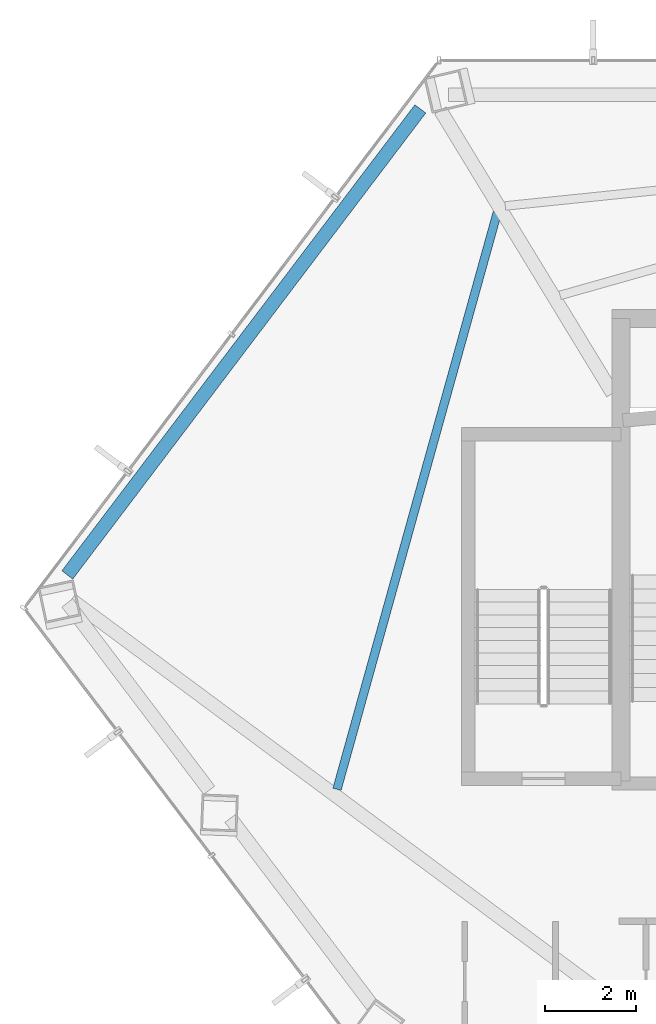
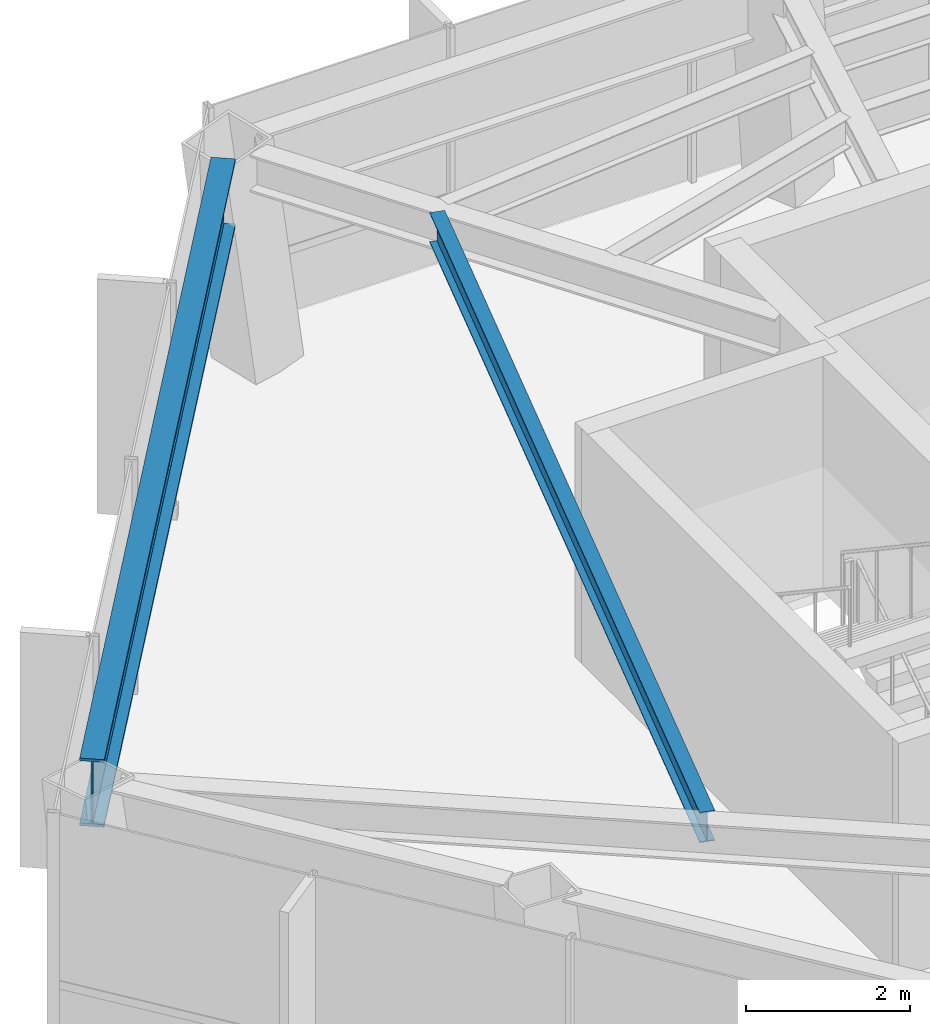
# One storey, part 11 of 29: 2 beams.
"""IFC4 building model written with IfcOpenShell, lengths in metres."""

from ifc_helpers import new_model, si_unit, direction, frame, origin, origin_2d, place, context, subcontext, project, spatial, i_section, extrude, material, material_profile, profile_set, type_object, element, save


model = new_model("IFC4")

# Units and contexts
model_context = context("Model", 3, precision=1e-05, world=origin(), true_north=direction((0.0, 1.0)))
body_context = subcontext(model_context, "Body", "Model", "MODEL_VIEW")
ifc_project = project(units=[si_unit("LENGTHUNIT", "METRE"), si_unit("AREAUNIT", "SQUARE_METRE"), si_unit("VOLUMEUNIT", "CUBIC_METRE"), si_unit("PLANEANGLEUNIT", "RADIAN"), si_unit("MASSUNIT", "GRAM", prefix="KILO")], contexts=[model_context])

# Site, building, storey
site_placement = place(None, origin())
site = spatial("IfcSite", under=ifc_project, at=site_placement, CompositionType="ELEMENT")
building_placement = place(site_placement, origin())
building = spatial("IfcBuilding", under=site, at=building_placement, Name="Zarrinselat Tower", CompositionType="ELEMENT")
storey_placement = place(building_placement, frame((0.0, 0.0, 142.1201171875)))
storey = spatial("IfcBuildingStorey", under=building, at=storey_placement, Name="L34", CompositionType="ELEMENT", Elevation=142.1201171875)

# Beams
ifc_material_1 = material(Name="Steel S460M", Category="steel")
ifc_material_profile_1 = material_profile(ifc_material_1, i_section(OverallWidth=0.302001953125, OverallDepth=1.008056640625, WebThickness=0.02099609375, FlangeThickness=0.0400390625, at=origin_2d()), Name="HEM 1000")
ifc_profile_set_1 = profile_set([ifc_material_profile_1], Name="Steel S460M")
beam_type_1 = type_object("IfcBeamType", Name="BM-HEM1000", PredefinedType="BEAM", material=ifc_profile_set_1)
beam_1_placement = place(storey_placement, frame((16.381591796875, 37.79248046875, 2.995849609375), z_axis=(0.603848213094, 0.797099326021, 0.0), x_axis=(-0.797099326021, 0.603848213094, 0.0)))
element("IfcBeam", 1, at=beam_1_placement, inside=storey, type_object=beam_type_1, Name="L34 Perimeter Spandrel Girder SP05", PredefinedType="BEAM", context=body_context, shape_type="SweptSolid", body=[
    extrude(i_section(OverallWidth=0.302001953125, OverallDepth=1.008056640625, WebThickness=0.02099609375, FlangeThickness=0.0400390625, at=origin_2d()), origin(), (0.0, 0.0, 1.0), 12.898681640625),
])
ifc_material_2 = material(Name="Steel S355J2", Category="steel")
ifc_material_profile_2 = material_profile(ifc_material_2, i_section(OverallWidth=0.18994140625, OverallDepth=0.449951171875, WebThickness=0.009521484375, FlangeThickness=0.0146484375, at=origin_2d()), Name="IPE 450")
ifc_profile_set_2 = profile_set([ifc_material_profile_2], Name="Steel S355J2")
beam_type_2 = type_object("IfcBeamType", Name="BM-IPE450", PredefinedType="JOIST", material=ifc_profile_set_2)
beam_2_placement = place(storey_placement, frame((22.33154296875, 33.0625, 3.27490234375), z_axis=(0.267770703509, 0.96348266738, 0.0), x_axis=(-0.96348266738, 0.267770703509, 0.0)))
element("IfcBeam", 2, at=beam_2_placement, inside=storey, type_object=beam_type_2, Name="L34 Composite Floor Joist 10-1", PredefinedType="JOIST", context=body_context, shape_type="SweptSolid", body=[
    extrude(i_section(OverallWidth=0.18994140625, OverallDepth=0.449951171875, WebThickness=0.009521484375, FlangeThickness=0.0146484375, at=origin_2d()), origin(), (0.0, 0.0, 1.0), 13.203125),
])

save(model, "model.ifc")
